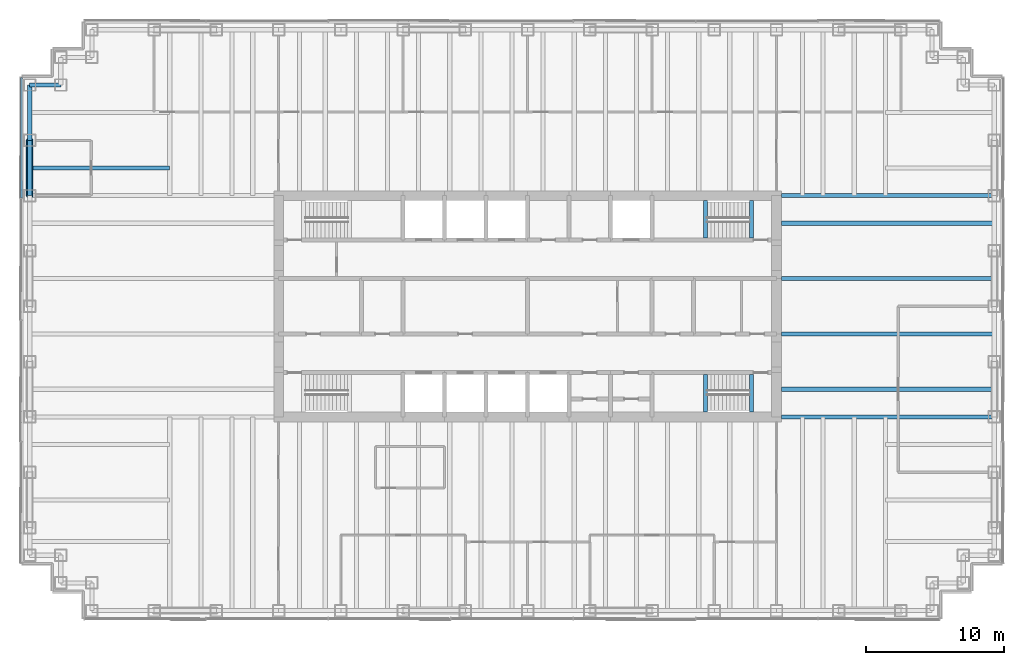
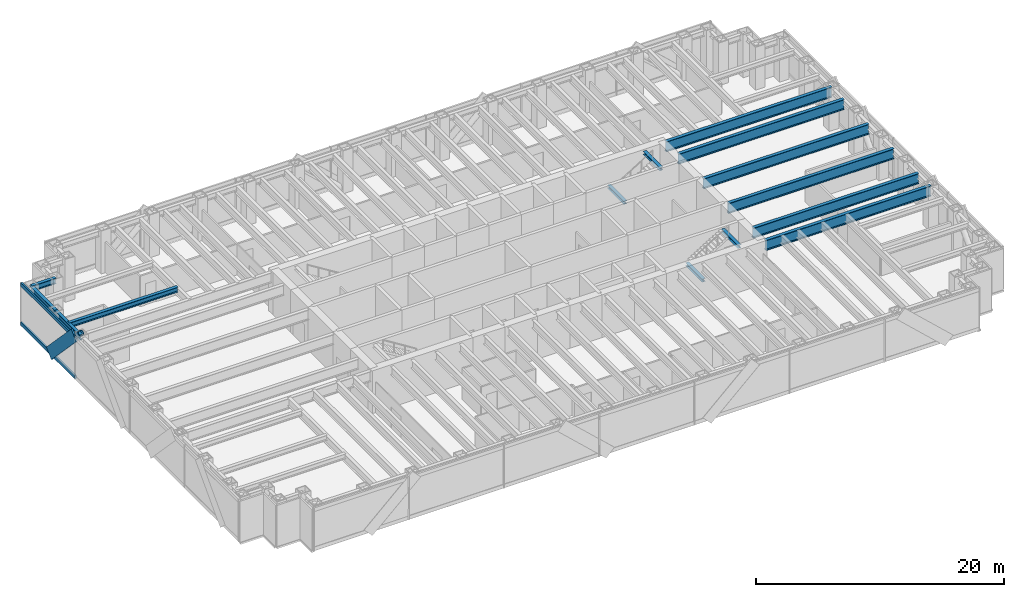
# One storey, part 5 of 15: 14 beams, 4 members, 1 element without a shape of its own.
"""IFC4 building model written with IfcOpenShell, lengths in metres."""

from ifc_helpers import new_model, si_unit, direction, frame, origin, origin_2d, place, context, subcontext, project, spatial, rectangle, hollow_circle, i_section, extrude, material, material_profile, profile_set, type_object, element, aggregate, save


model = new_model("IFC4")

# Units and contexts
model_context = context("Model", 3, precision=1e-05, world=origin(), true_north=direction((0.0, 1.0)))
body_context = subcontext(model_context, "Body", "Model", "MODEL_VIEW")
ifc_project = project(units=[si_unit("LENGTHUNIT", "METRE"), si_unit("AREAUNIT", "SQUARE_METRE"), si_unit("VOLUMEUNIT", "CUBIC_METRE"), si_unit("PLANEANGLEUNIT", "RADIAN"), si_unit("MASSUNIT", "GRAM", prefix="KILO")], contexts=[model_context])

# Site, building, storey
site_placement = place(None, origin())
site = spatial("IfcSite", under=ifc_project, at=site_placement, CompositionType="ELEMENT")
building_placement = place(site_placement, origin())
building = spatial("IfcBuilding", under=site, at=building_placement, Name="Rheinbord Bourse Tower", CompositionType="ELEMENT")
storey_placement = place(building_placement, frame((0.0, 0.0, 279.5)))
storey = spatial("IfcBuildingStorey", under=building, at=storey_placement, Name="L63", CompositionType="ELEMENT", Elevation=279.5)

# Curtain wall, members
ifc_material_1 = material(Name="Dark glass and black aluminium", Category="aluminium")
curtain_wall_type = type_object("IfcCurtainWallType", Name="CW3 DARK GLASS CURTAIN WALL", PredefinedType="USERDEFINED", material=ifc_material_1)
curtain_wall_placement = place(storey_placement, origin())
curtain_wall = element("IfcCurtainWall", 1, at=curtain_wall_placement, inside=storey, type_object=curtain_wall_type, Name="Curtain wall CW3 W L63", ObjectType="UNITISED CURTAIN WALL", PredefinedType="USERDEFINED")
ifc_material_2 = material(Name="Black anodised aluminium", Category="aluminium")
ifc_material_profile_1 = material_profile(ifc_material_2, rectangle(XDim=0.14990234375, YDim=1.10791015625, at=origin_2d()), Name="CW3 DIAGONAL MULLION 1108x150")
ifc_profile_set_1 = profile_set([ifc_material_profile_1], Name="Black anodised aluminium")
member_type_1 = type_object("IfcMemberType", Name="CW3 BLACK DIAGONAL MULLION", PredefinedType="USERDEFINED", material=ifc_profile_set_1)
member_1_placement = place(storey_placement, frame((-0.60009765625, 36.0, 0.0), z_axis=(0.0, -0.689659376744, 0.724133926887), x_axis=(1.0, 0.0, 0.0)))
member_1 = element("IfcMember", 2, at=member_1_placement, type_object=member_type_1, Name="CW3 diagonal mullion a", ObjectType="DIAGONAL MULLION", PredefinedType="USERDEFINED", context=body_context, shape_type="SweptSolid", body=[
    extrude(rectangle(XDim=0.14990234375, YDim=1.10791015625, at=origin_2d()), origin(), (0.0, 0.0, 1.0), 5.800048828125),
])
ifc_material_3 = material(Name="Black anodised aluminium", Category="aluminium")
ifc_material_profile_2 = material_profile(ifc_material_3, rectangle(XDim=0.14990234375, YDim=0.35009765625, at=origin_2d()), Name="CW3 TRANSOM 350x150")
ifc_profile_set_2 = profile_set([ifc_material_profile_2], Name="Black anodised aluminium")
member_type_2 = type_object("IfcMemberType", Name="CW3 BLACK TRANSOM", PredefinedType="USERDEFINED", material=ifc_profile_set_2)
member_2_placement = place(storey_placement, frame((-0.60009765625, 40.534912109375, 0.175048828125), z_axis=(0.0, -1.0, 0.0), x_axis=(1.0, 0.0, 0.0)))
member_2 = element("IfcMember", 3, at=member_2_placement, type_object=member_type_2, Name="CW3 transom 1.1", ObjectType="TRANSOM", PredefinedType="USERDEFINED", context=body_context, shape_type="SweptSolid", body=[
    extrude(rectangle(XDim=0.14990234375, YDim=0.35009765625, at=origin_2d()), origin(), (0.0, 0.0, 1.0), 8.702392578125),
])
member_3_placement = place(storey_placement, frame((-0.60009765625, 40.534912109375, 4.02490234375), z_axis=(0.0, -1.0, 0.0), x_axis=(1.0, 0.0, 0.0)))
member_3 = element("IfcMember", 4, at=member_3_placement, type_object=member_type_2, Name="CW3 transom 1.2", ObjectType="TRANSOM", PredefinedType="USERDEFINED", context=body_context, shape_type="SweptSolid", body=[
    extrude(rectangle(XDim=0.14990234375, YDim=0.35009765625, at=origin_2d()), origin(), (0.0, 0.0, 1.0), 8.702392578125),
])
aggregate(curtain_wall, [member_2, member_3, member_1])

# Beams
ifc_material_4 = material(Name="Steel S460", Category="steel")
ifc_material_profile_3 = material_profile(ifc_material_4, i_section(OverallWidth=0.302001953125, OverallDepth=1.008056640625, WebThickness=0.02099609375, FlangeThickness=0.0400390625, at=origin_2d()), Name="HEM 1000")
ifc_profile_set_3 = profile_set([ifc_material_profile_3], Name="Steel S460")
beam_type_1 = type_object("IfcBeamType", Name="END BEAM HEM 1000", PredefinedType="BEAM", material=ifc_profile_set_3)
for number, where, z_axis, x_axis, name in (
    (5, (54.35009765625, 18.0, 3.535888671875), (1.0, 0.0, 0.0), (0.0, 1.0, 0.0), "End beam east 18 L64"),
    (6, (54.35009765625, 22.0, 3.535888671875), (1.0, 0.0, 0.0), (0.0, 1.0, 0.0), "End beam east 22 L64"),
    (7, (54.35009765625, 26.0, 3.535888671875), (1.0, 0.0, 0.0), (0.0, 1.0, 0.0), "End beam east 26 L64"),
    (8, (54.35009765625, 30.0, 3.535888671875), (1.0, 0.0, 0.0), (0.0, 1.0, 0.0), "End beam east 30 L64"),
):
    element("IfcBeam", number, at=place(storey_placement, frame(where, z_axis=z_axis, x_axis=x_axis)), inside=storey, type_object=beam_type_1, Name=name, PredefinedType="BEAM", context=body_context, shape_type="SweptSolid", body=[
        extrude(i_section(OverallWidth=0.302001953125, OverallDepth=1.008056640625, WebThickness=0.02099609375, FlangeThickness=0.0400390625, at=origin_2d()), origin(), (0.0, 0.0, 1.0), 15.39990234375),
    ])
ifc_material_5 = material(Name="Steel S460", Category="steel")
ifc_material_profile_4 = material_profile(ifc_material_5, i_section(OverallWidth=0.302001953125, OverallDepth=1.008056640625, WebThickness=0.02099609375, FlangeThickness=0.0400390625, at=origin_2d()), Name="HEM 1000")
ifc_profile_set_4 = profile_set([ifc_material_profile_4], Name="Steel S460")
beam_type_2 = type_object("IfcBeamType", Name="GIRDER HEM 1000", PredefinedType="BEAM", material=ifc_profile_set_4)
for number, where, z_axis, x_axis, name in (
    (9, (54.35009765625, 16.0, 3.535888671875), (1.0, 0.0, 0.0), (0.0, 1.0, 0.0), "Girder east 16 L64"),
    (10, (54.35009765625, 32.0, 3.535888671875), (1.0, 0.0, 0.0), (0.0, 1.0, 0.0), "Girder east 32 L64"),
):
    element("IfcBeam", number, at=place(storey_placement, frame(where, z_axis=z_axis, x_axis=x_axis)), inside=storey, type_object=beam_type_2, Name=name, PredefinedType="BEAM", context=body_context, shape_type="SweptSolid", body=[
        extrude(i_section(OverallWidth=0.302001953125, OverallDepth=1.008056640625, WebThickness=0.02099609375, FlangeThickness=0.0400390625, at=origin_2d()), origin(), (0.0, 0.0, 1.0), 15.39990234375),
    ])
ifc_material_6 = material(Name="Steel S460", Category="steel")
ifc_material_profile_5 = material_profile(ifc_material_6, i_section(OverallWidth=0.300048828125, OverallDepth=0.300048828125, WebThickness=0.010986328125, FlangeThickness=0.01904296875, at=origin_2d()), Name="HEB 300")
ifc_profile_set_5 = profile_set([ifc_material_profile_5], Name="Steel S460")
beam_type_3 = type_object("IfcBeamType", Name="LANDING TRIMMER HEB 300", PredefinedType="BEAM", material=ifc_profile_set_5)
for number, where, z_axis, x_axis, name in (
    (11, (48.8701171875, 16.35009765625, 1.75), (0.0, 1.0, 0.0), (-1.0, 0.0, 0.0), "Landing trimmer ST3 L63"),
    (12, (52.199951171875, 16.35009765625, 3.889892578125), (0.0, 1.0, 0.0), (-1.0, 0.0, 0.0), "Well trimmer ST3 under L64"),
    (13, (48.8701171875, 28.949951171875, 1.75), (0.0, 1.0, 0.0), (-1.0, 0.0, 0.0), "Landing trimmer ST4 L63"),
    (14, (52.199951171875, 28.949951171875, 3.889892578125), (0.0, 1.0, 0.0), (-1.0, 0.0, 0.0), "Well trimmer ST4 under L64"),
):
    element("IfcBeam", number, at=place(storey_placement, frame(where, z_axis=z_axis, x_axis=x_axis)), inside=storey, type_object=beam_type_3, Name=name, PredefinedType="BEAM", context=body_context, shape_type="SweptSolid", body=[
        extrude(i_section(OverallWidth=0.300048828125, OverallDepth=0.300048828125, WebThickness=0.010986328125, FlangeThickness=0.01904296875, at=origin_2d()), origin(), (0.0, 0.0, 1.0), 2.699951171875),
    ])

# Member
ifc_material_7 = material(Name="Steel S460", Category="steel")
ifc_material_profile_6 = material_profile(ifc_material_7, hollow_circle(Radius=0.25390625, WallThickness=0.030029296875, at=origin_2d()), Name="CHS 508x30")
ifc_profile_set_6 = profile_set([ifc_material_profile_6], Name="Steel S460")
member_type_3 = type_object("IfcMemberType", Name="MEGABRACE CHS 508x30", PredefinedType="BRACE", material=ifc_profile_set_6)
member_4_placement = place(storey_placement, frame((0.0, 36.0, 0.0), z_axis=(0.0, -0.689659376744, 0.724133926887), x_axis=(1.0, 0.0, 0.0)))
element("IfcMember", 15, at=member_4_placement, inside=storey, type_object=member_type_3, Name="Megabrace W face line a L63", PredefinedType="BRACE", context=body_context, shape_type="SweptSolid", body=[
    extrude(hollow_circle(Radius=0.25390625, WallThickness=0.030029296875, at=origin_2d()), origin(), (0.0, 0.0, 1.0), 5.800048828125),
])

# Beams
ifc_material_8 = material(Name="Steel S460", Category="steel")
ifc_material_profile_7 = material_profile(ifc_material_8, i_section(OverallWidth=0.300048828125, OverallDepth=0.550048828125, WebThickness=0.014892578125, FlangeThickness=0.029052734375, at=origin_2d()), Name="HEB 550")
ifc_profile_set_7 = profile_set([ifc_material_profile_7], Name="Steel S460")
beam_type_4 = type_object("IfcBeamType", Name="SPANDREL HEB 550", PredefinedType="SPANDREL", material=ifc_profile_set_7)
beam_1_placement = place(storey_placement, frame((2.25, 40.0, 3.764892578125), z_axis=(-1.0, 0.0, 0.0), x_axis=(0.0, -1.0, 0.0)))
element("IfcBeam", 16, at=beam_1_placement, inside=storey, type_object=beam_type_4, Name="Spandrel NW-B-NW-A under L64", PredefinedType="SPANDREL", context=body_context, shape_type="SweptSolid", body=[
    extrude(i_section(OverallWidth=0.300048828125, OverallDepth=0.550048828125, WebThickness=0.014892578125, FlangeThickness=0.029052734375, at=origin_2d()), origin(), (0.0, 0.0, 1.0), 2.25),
])
for number, where, z_axis, x_axis, name in (
    (17, (0.0, 40.0, 3.764892578125), (0.0, -1.0, 0.0), (1.0, 0.0, 0.0), "Spandrel NW-A-W-36 under L64"),
    (18, (0.0, 36.0, 3.764892578125), (0.0, -1.0, 0.0), (1.0, 0.0, 0.0), "Spandrel W-36-W-32 under L64"),
):
    element("IfcBeam", number, at=place(storey_placement, frame(where, z_axis=z_axis, x_axis=x_axis)), inside=storey, type_object=beam_type_4, Name=name, PredefinedType="SPANDREL", context=body_context, shape_type="SweptSolid", body=[
        extrude(i_section(OverallWidth=0.300048828125, OverallDepth=0.550048828125, WebThickness=0.014892578125, FlangeThickness=0.029052734375, at=origin_2d()), origin(), (0.0, 0.0, 1.0), 4.0),
    ])
ifc_material_9 = material(Name="Steel S460", Category="steel")
ifc_material_profile_8 = material_profile(ifc_material_9, i_section(OverallWidth=0.300048828125, OverallDepth=0.5, WebThickness=0.014404296875, FlangeThickness=0.028076171875, at=origin_2d()), Name="HEB 500")
ifc_profile_set_8 = profile_set([ifc_material_profile_8], Name="Steel S460")
beam_type_5 = type_object("IfcBeamType", Name="TIE BEAM HEB 500", PredefinedType="JOIST", material=ifc_profile_set_8)
beam_2_placement = place(storey_placement, frame((0.0, 34.0, 3.7900390625), z_axis=(1.0, 0.0, 0.0), x_axis=(0.0, 1.0, 0.0)))
element("IfcBeam", 19, at=beam_2_placement, inside=storey, type_object=beam_type_5, Name="Tie west 34 L64", PredefinedType="JOIST", context=body_context, shape_type="SweptSolid", body=[
    extrude(i_section(OverallWidth=0.300048828125, OverallDepth=0.5, WebThickness=0.014404296875, FlangeThickness=0.028076171875, at=origin_2d()), origin(), (0.0, 0.0, 1.0), 10.125),
])

save(model, "model.ifc")
